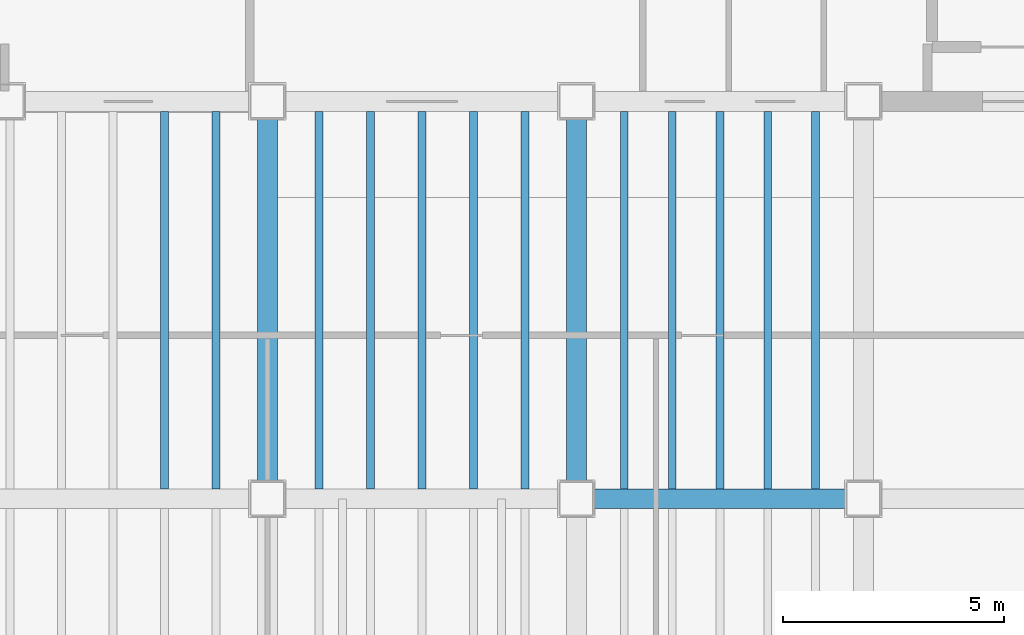
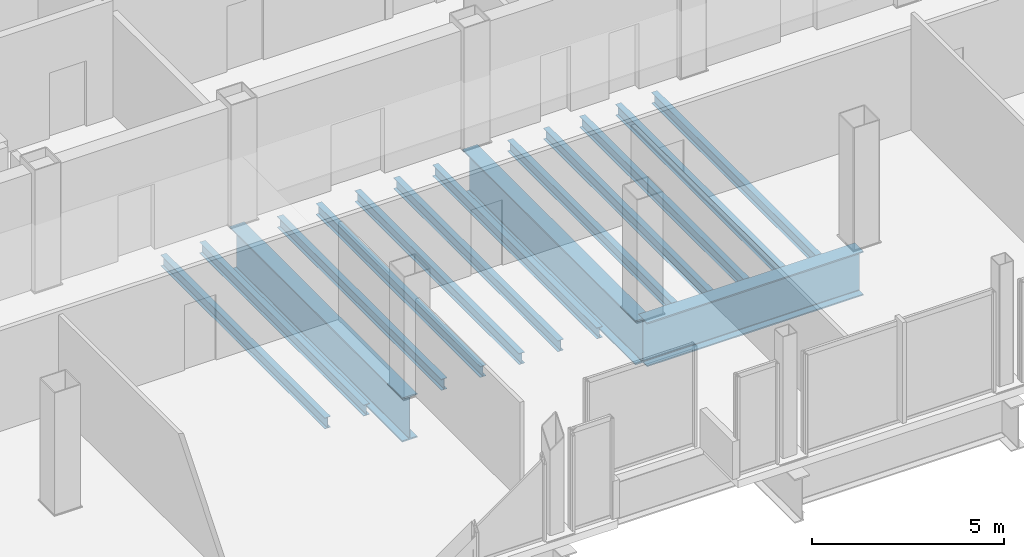
# One storey, part 7 of 22: 15 beams.
"""IFC4 building model written with IfcOpenShell, lengths in metres."""

from ifc_helpers import new_model, si_unit, direction, frame, origin, origin_2d, place, context, subcontext, project, spatial, i_section, extrude, material, material_profile, profile_set, type_object, element, save


model = new_model("IFC4")

# Units and contexts
model_context = context("Model", 3, precision=1e-05, world=origin(), true_north=direction((0.0, 1.0)))
body_context = subcontext(model_context, "Body", "Model", "MODEL_VIEW")
ifc_project = project(units=[si_unit("LENGTHUNIT", "METRE"), si_unit("AREAUNIT", "SQUARE_METRE"), si_unit("VOLUMEUNIT", "CUBIC_METRE"), si_unit("PLANEANGLEUNIT", "RADIAN"), si_unit("MASSUNIT", "GRAM", prefix="KILO")], contexts=[model_context])

# Site, building, storey
site_placement = place(None, origin())
site = spatial("IfcSite", under=ifc_project, at=site_placement, CompositionType="ELEMENT")
building_placement = place(site_placement, origin())
building = spatial("IfcBuilding", under=site, at=building_placement, Name="Noeulbin Bourse Tower", CompositionType="ELEMENT")
storey_placement = place(building_placement, frame((0.0, 0.0, 230.60009765625)))
storey = spatial("IfcBuildingStorey", under=building, at=storey_placement, Name="L57", CompositionType="ELEMENT", Elevation=230.60009765625)

# Beams
ifc_material_1 = material(Name="Steel S355", Category="steel")
ifc_material_profile_1 = material_profile(ifc_material_1, i_section(OverallWidth=0.175048828125, OverallDepth=0.35009765625, WebThickness=0.007080078125, FlangeThickness=0.010986328125, FilletRadius=0.013916015625, at=origin_2d()), Name="H-350x175x7x11", Category="LoadBearing")
ifc_profile_set_1 = profile_set([ifc_material_profile_1], Name="Steel S355")
beam_type_1 = type_object("IfcBeamType", Name="BM-JST-350", PredefinedType="JOIST", material=ifc_profile_set_1)
for number, where, z_axis, x_axis, name in (
    (1, (21.666748046875, 20.22509765625, -0.4150390625), (0.0, 1.0, 0.0), (-1.0, 0.0, 0.0), "Tower Composite Joist L57-14"),
    (2, (22.833251953125, 20.22509765625, -0.4150390625), (0.0, 1.0, 0.0), (-1.0, 0.0, 0.0), "Tower Composite Joist L57-16"),
    (3, (25.166748046875, 20.22509765625, -0.4150390625), (0.0, 1.0, 0.0), (-1.0, 0.0, 0.0), "Tower Composite Joist L57-18"),
    (4, (26.333251953125, 20.22509765625, -0.4150390625), (0.0, 1.0, 0.0), (-1.0, 0.0, 0.0), "Tower Composite Joist L57-20"),
    (5, (27.5, 20.22509765625, -0.4150390625), (0.0, 1.0, 0.0), (-1.0, 0.0, 0.0), "Tower Composite Joist L57-22"),
    (6, (28.666748046875, 20.22509765625, -0.4150390625), (0.0, 1.0, 0.0), (-1.0, 0.0, 0.0), "Tower Composite Joist L57-24"),
    (7, (29.833251953125, 20.22509765625, -0.4150390625), (0.0, 1.0, 0.0), (-1.0, 0.0, 0.0), "Tower Composite Joist L57-26"),
    (8, (32.083251953125, 20.22509765625, -0.4150390625), (0.0, 1.0, 0.0), (-1.0, 0.0, 0.0), "Tower Composite Joist L57-28"),
    (9, (33.166748046875, 20.22509765625, -0.4150390625), (0.0, 1.0, 0.0), (-1.0, 0.0, 0.0), "Tower Composite Joist L57-30"),
    (10, (34.25, 20.22509765625, -0.4150390625), (0.0, 1.0, 0.0), (-1.0, 0.0, 0.0), "Tower Composite Joist L57-32"),
    (11, (35.333251953125, 20.22509765625, -0.4150390625), (0.0, 1.0, 0.0), (-1.0, 0.0, 0.0), "Tower Composite Joist L57-34"),
    (12, (36.416748046875, 20.22509765625, -0.4150390625), (0.0, 1.0, 0.0), (-1.0, 0.0, 0.0), "Tower Composite Joist L57-36"),
):
    element("IfcBeam", number, at=place(storey_placement, frame(where, z_axis=z_axis, x_axis=x_axis)), inside=storey, type_object=beam_type_1, Name=name, PredefinedType="JOIST", context=body_context, shape_type="SweptSolid", body=[
        extrude(i_section(OverallWidth=0.175048828125, OverallDepth=0.35009765625, WebThickness=0.007080078125, FlangeThickness=0.010986328125, FilletRadius=0.013916015625, at=origin_2d()), origin(), (0.0, 0.0, 1.0), 8.5498046875),
    ])
ifc_material_2 = material(Name="Steel S460", Category="steel")
ifc_material_profile_2 = material_profile(ifc_material_2, i_section(OverallWidth=0.449951171875, OverallDepth=1.39990234375, WebThickness=0.02392578125, FlangeThickness=0.0400390625, FilletRadius=0.02392578125, at=origin_2d()), Name="PG-1400x450x24x40", Category="LoadBearing")
ifc_profile_set_2 = profile_set([ifc_material_profile_2], Name="Steel S460")
beam_type_2 = type_object("IfcBeamType", Name="BM-TRF-1400", PredefinedType="USERDEFINED", material=ifc_profile_set_2)
beam_placement = place(storey_placement, frame((31.0, 20.0, -0.940185546875), z_axis=(1.0, 0.0, 0.0), x_axis=(0.0, 1.0, 0.0)))
element("IfcBeam", 13, at=beam_placement, inside=storey, type_object=beam_type_2, Name="Tower Primary Girder EW L57-1.6", ObjectType="GIRDER", PredefinedType="USERDEFINED", context=body_context, shape_type="SweptSolid", body=[
    extrude(i_section(OverallWidth=0.449951171875, OverallDepth=1.39990234375, WebThickness=0.02392578125, FlangeThickness=0.0400390625, FilletRadius=0.02392578125, at=origin_2d()), origin(), (0.0, 0.0, 1.0), 6.5),
])
for number, where, z_axis, x_axis, name in (
    (14, (24.0, 20.0, -0.940185546875), (0.0, 1.0, 0.0), (-1.0, 0.0, 0.0), "Tower Primary Girder NS L57-2.2"),
    (15, (31.0, 20.0, -0.940185546875), (0.0, 1.0, 0.0), (-1.0, 0.0, 0.0), "Tower Primary Girder NS L57-3.2"),
):
    element("IfcBeam", number, at=place(storey_placement, frame(where, z_axis=z_axis, x_axis=x_axis)), inside=storey, type_object=beam_type_2, Name=name, ObjectType="GIRDER", PredefinedType="USERDEFINED", context=body_context, shape_type="SweptSolid", body=[
        extrude(i_section(OverallWidth=0.449951171875, OverallDepth=1.39990234375, WebThickness=0.02392578125, FlangeThickness=0.0400390625, FilletRadius=0.02392578125, at=origin_2d()), origin(), (0.0, 0.0, 1.0), 9.0),
    ])

save(model, "model.ifc")
